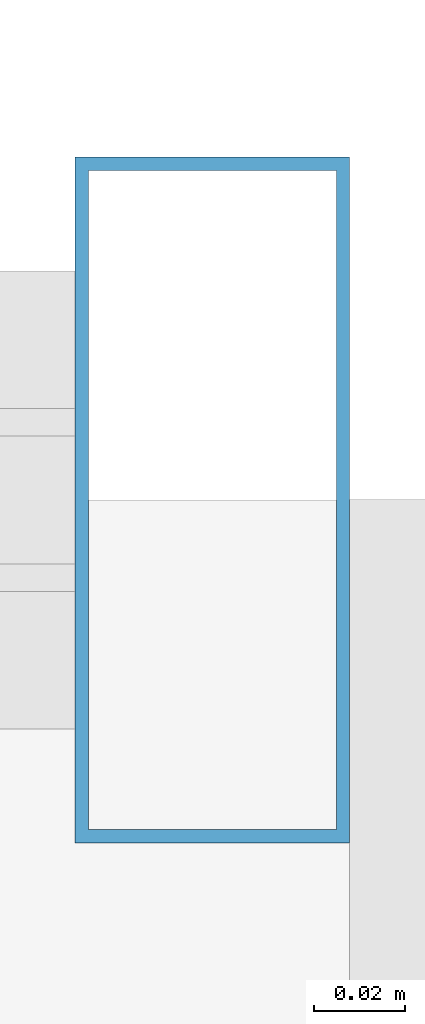
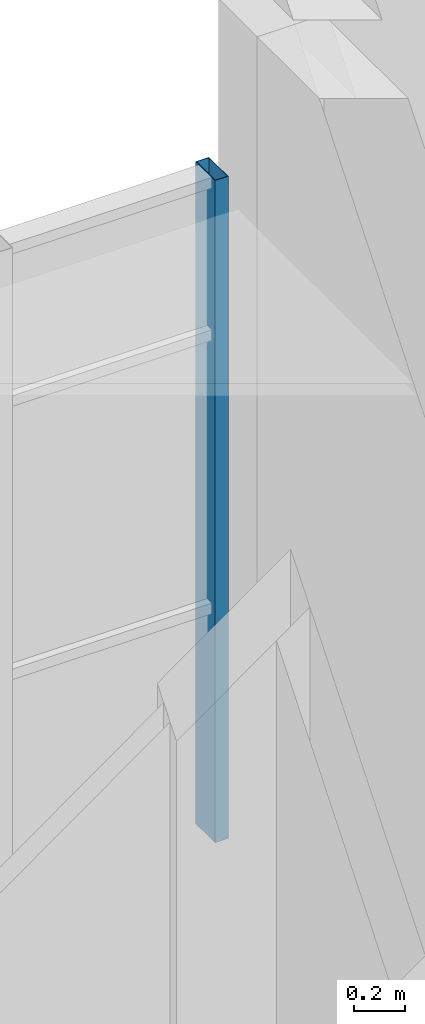
# One storey, part 26 of 51: 1 member, 1 element without a shape of its own.
"""IFC4 building model written with IfcOpenShell, lengths in metres."""

from ifc_helpers import new_model, si_unit, direction, frame, origin, origin_2d, place, context, subcontext, project, spatial, hollow_rectangle, extrude, material, material_profile, profile_set, type_object, element, aggregate, save


model = new_model("IFC4")

# Units and contexts
model_context = context("Model", 3, precision=1e-05, world=origin(), true_north=direction((0.0, 1.0)))
body_context = subcontext(model_context, "Body", "Model", "MODEL_VIEW")
ifc_project = project(units=[si_unit("LENGTHUNIT", "METRE"), si_unit("AREAUNIT", "SQUARE_METRE"), si_unit("VOLUMEUNIT", "CUBIC_METRE"), si_unit("PLANEANGLEUNIT", "RADIAN"), si_unit("MASSUNIT", "GRAM", prefix="KILO")], contexts=[model_context])

# Site, building, storey
site_placement = place(None, origin())
site = spatial("IfcSite", under=ifc_project, at=site_placement, CompositionType="ELEMENT")
building_placement = place(site_placement, origin())
building = spatial("IfcBuilding", under=site, at=building_placement, Name="Laocheng Heights Fire and Rescue Headquarters", CompositionType="ELEMENT")
storey_placement = place(building_placement, frame((0.0, 0.0, 21.0)))
storey = spatial("IfcBuildingStorey", under=building, at=storey_placement, Name="L05", CompositionType="ELEMENT", Elevation=21.0)

# Curtain wall, member
ifc_material_1 = material(Name="Dark anodised aluminium unitised curtain wall, low-e double glazing", Category="aluminium")
curtain_wall_type = type_object("IfcCurtainWallType", Name="CW 6000 x 3150 HQ NORTH GLAZING", PredefinedType="NOTDEFINED", material=ifc_material_1)
curtain_wall_placement = place(storey_placement, origin())
curtain_wall = element("IfcCurtainWall", 1, at=curtain_wall_placement, inside=storey, type_object=curtain_wall_type, Name="X28-X HQ NORTH L05", PredefinedType="NOTDEFINED")
ifc_material_2 = material(Name="Dark anodised aluminium 6063-T5 extrusion", Category="aluminium")
ifc_material_profile = material_profile(ifc_material_2, hollow_rectangle(XDim=0.14990234375, YDim=0.06005859375, WallThickness=0.0029296875, at=origin_2d()), Name="AL MULLION 150x60x3 HQ NORTH GLAZING")
ifc_profile_set = profile_set([ifc_material_profile], Name="Dark anodised aluminium 6063-T5 extrusion")
member_type = type_object("IfcMemberType", Name="AL MULLION 150x60x3 HQ NORTH GLAZING", PredefinedType="MULLION", material=ifc_profile_set)
member_placement = place(storey_placement, frame((77.969970703125, 72.0, 0.0), z_axis=(0.0, 0.0, 1.0), x_axis=(0.0, 1.0, 0.0)))
member = element("IfcMember", 2, at=member_placement, type_object=member_type, Name="X28-X mullion 7", PredefinedType="MULLION", context=body_context, shape_type="SweptSolid", body=[
    extrude(hollow_rectangle(XDim=0.14990234375, YDim=0.06005859375, WallThickness=0.0029296875, at=origin_2d()), origin(), (0.0, 0.0, 1.0), 3.14990234375),
])
aggregate(curtain_wall, [member])

save(model, "model.ifc")
